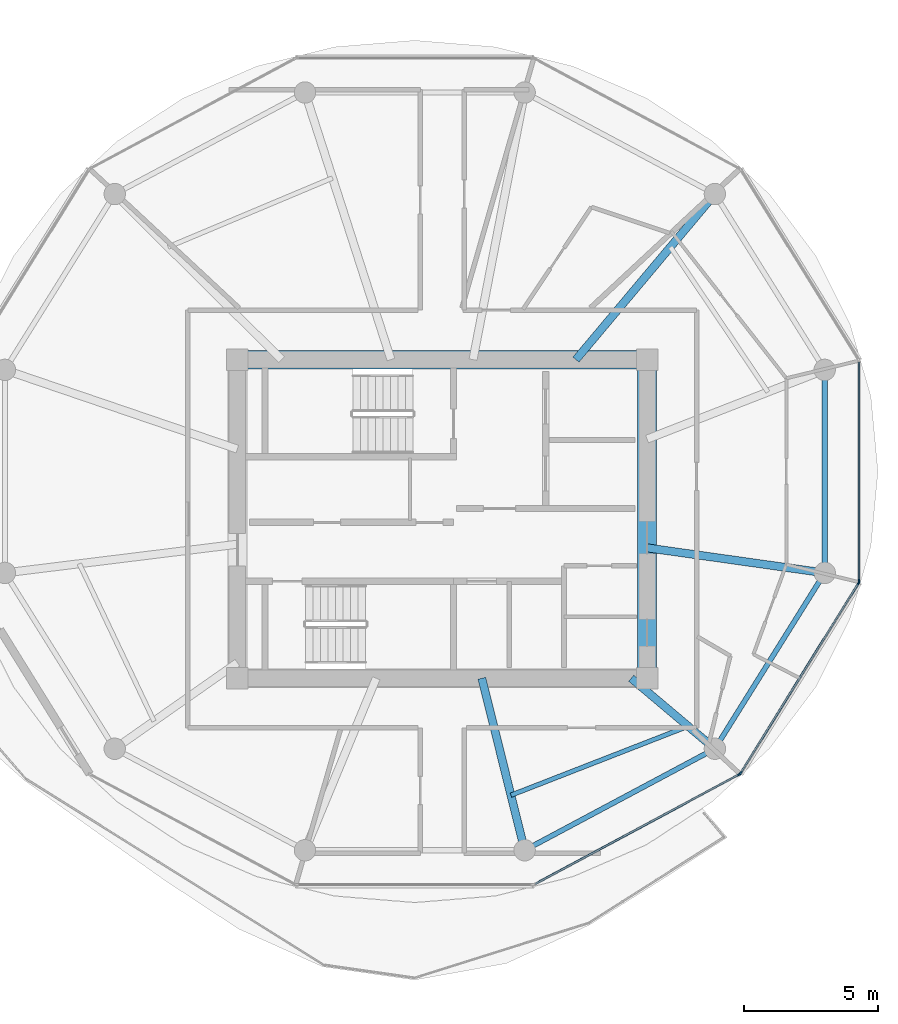
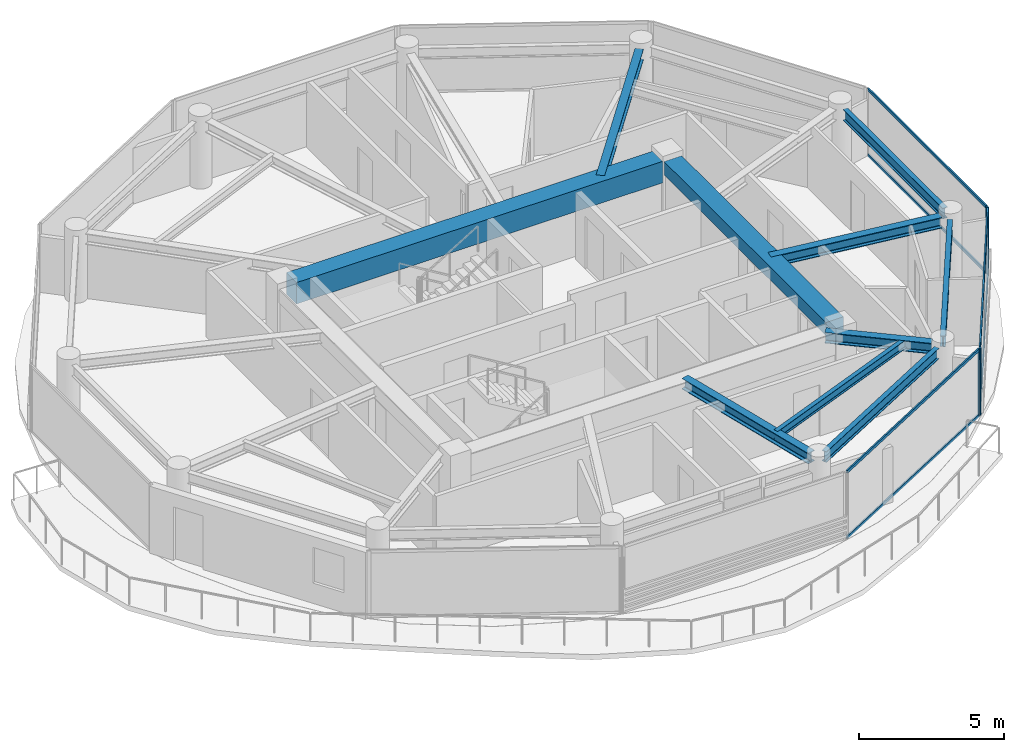
# One storey, part 9 of 21: 10 beams, 10 members, 3 elements without a shape of their own.
"""IFC4 building model written with IfcOpenShell, lengths in metres."""

from ifc_helpers import new_model, si_unit, direction, frame, origin, origin_2d, place, context, subcontext, project, spatial, rectangle, i_section, extrude, source, transform, mapped, material, layer, layer_set, material_profile, profile_set, type_object, type_shapes, element, aggregate, save


model = new_model("IFC4")

# Units and contexts
model_context = context("Model", 3, precision=1e-05, world=origin(), true_north=direction((0.0, 1.0)))
body_context = subcontext(model_context, "Body", "Model", "MODEL_VIEW")
ifc_project = project(units=[si_unit("LENGTHUNIT", "METRE"), si_unit("AREAUNIT", "SQUARE_METRE"), si_unit("VOLUMEUNIT", "CUBIC_METRE"), si_unit("PLANEANGLEUNIT", "RADIAN"), si_unit("MASSUNIT", "GRAM", prefix="KILO")], contexts=[model_context])

# Site, building, storey
site_placement = place(None, origin())
site = spatial("IfcSite", under=ifc_project, at=site_placement, CompositionType="ELEMENT")
building_placement = place(site_placement, origin())
building = spatial("IfcBuilding", under=site, at=building_placement, Name="Norrkilde Senior Care Towers", CompositionType="ELEMENT")
storey_placement = place(building_placement, frame((0.0, 0.0, 149.550048828125)))
storey = spatial("IfcBuildingStorey", under=building, at=storey_placement, Name="L46", CompositionType="ELEMENT", Elevation=149.550048828125)

# Beams
ifc_material_1 = material(Name="Concrete C60/75", Category="concrete")
ifc_material_profile_1 = material_profile(ifc_material_1, rectangle(XDim=0.699951171875, YDim=0.89990234375, at=origin_2d()), Name="RC BM 700x900")
ifc_profile_set_1 = profile_set([ifc_material_profile_1], Name="Concrete C60/75")
beam_type_1 = type_object("IfcBeamType", Name="Core Coupling Girder 700x900", PredefinedType="USERDEFINED", material=ifc_profile_set_1)
shared_shape_1 = source(origin(), body_context, "Body", "SweptSolid", [
    extrude(rectangle(XDim=0.699951171875, YDim=0.89990234375, at=origin_2d()), origin(), (0.0, 0.0, 1.0), 14.5400390625),
])
type_shapes(beam_type_1, [shared_shape_1])
beam_1_placement = place(storey_placement, frame((20.72998046875, 5.949951171875, 2.35986328125), z_axis=(1.0, 0.0, 0.0), x_axis=(0.0, 1.0, 0.0)))
element("IfcBeam", 1, at=beam_1_placement, inside=storey, type_object=beam_type_1, Name="L46 Core E N Coupling Girder", ObjectType="GIRDER", PredefinedType="USERDEFINED", context=body_context, shape_type="MappedRepresentation", body=[
    mapped(shared_shape_1, transform((0.0, 0.0, 0.0), x_axis=(1.0, 0.0, 0.0), y_axis=(0.0, 1.0, 0.0), z_axis=(0.0, 0.0, 1.0), scale=1.0)),
])
ifc_material_profile_2 = material_profile(ifc_material_1, rectangle(XDim=0.699951171875, YDim=0.550048828125, at=origin_2d()), Name="RC BM 700x550")
ifc_profile_set_2 = profile_set([ifc_material_profile_2], Name="Concrete C60/75")
beam_type_2 = type_object("IfcBeamType", Name="Core Portal Coupling Beam 700x550", PredefinedType="USERDEFINED", material=ifc_profile_set_2)
shared_shape_2 = source(origin(), body_context, "Body", "SweptSolid", [
    extrude(rectangle(XDim=0.699951171875, YDim=0.550048828125, at=origin_2d()), origin(), (0.0, 0.0, 1.0), 11.14013671875),
])
type_shapes(beam_type_2, [shared_shape_2])
beam_2_placement = place(storey_placement, frame((35.64990234375, -5.570068359375, 2.534912109375), z_axis=(0.0, 1.0, 0.0), x_axis=(-1.0, 0.0, 0.0)))
element("IfcBeam", 2, at=beam_2_placement, inside=storey, type_object=beam_type_2, Name="L46 Core E E Coupling Girder", ObjectType="GIRDER", PredefinedType="USERDEFINED", context=body_context, shape_type="MappedRepresentation", body=[
    mapped(shared_shape_2, transform((0.0, 0.0, 0.0), x_axis=(1.0, 0.0, 0.0), y_axis=(0.0, 1.0, 0.0), z_axis=(0.0, 0.0, 1.0), scale=1.0)),
])
ifc_material_2 = material(Name="Steel S355", Category="steel")
ifc_material_profile_3 = material_profile(ifc_material_2, i_section(OverallWidth=0.300048828125, OverallDepth=0.449951171875, WebThickness=0.013916015625, FlangeThickness=0.02587890625, FilletRadius=0.027099609375, at=origin_2d()), Name="HEB 450")
ifc_profile_set_3 = profile_set([ifc_material_profile_3], Name="Steel S355")
beam_type_3 = type_object("IfcBeamType", Name="Radial Floor Beam Z3 HEB450", PredefinedType="BEAM", material=ifc_profile_set_3)
shared_shape_3 = source(origin(), body_context, "Body", "SweptSolid", [
    extrude(i_section(OverallWidth=0.300048828125, OverallDepth=0.449951171875, WebThickness=0.013916015625, FlangeThickness=0.02587890625, FilletRadius=0.027099609375, at=origin_2d()), origin(), (0.0, 0.0, 1.0), 7.71337890625),
])
beam_3_placement = place(storey_placement, frame((32.992919921875, 5.949951171875, 2.5849609375), z_axis=(0.642808239864, 0.766027131872, 0.0), x_axis=(-0.766027131872, 0.642808239864, 0.0)))
element("IfcBeam", 3, at=beam_3_placement, inside=storey, type_object=beam_type_3, Name="L46 Drum E Radial Floor Beam 02", PredefinedType="BEAM", context=body_context, shape_type="MappedRepresentation", body=[
    mapped(shared_shape_3, transform((0.0, 0.0, 0.0), x_axis=(1.0, 0.0, 0.0), y_axis=(0.0, 1.0, 0.0), z_axis=(0.0, 0.0, 1.0), scale=1.0)),
])
ifc_material_profile_4 = material_profile(ifc_material_2, i_section(OverallWidth=0.18994140625, OverallDepth=0.449951171875, WebThickness=0.009521484375, FlangeThickness=0.0146484375, FilletRadius=0.02099609375, at=origin_2d()), Name="IPE 450")
ifc_profile_set_4 = profile_set([ifc_material_profile_4], Name="Steel S355")
beam_type_4 = type_object("IfcBeamType", Name="Perimeter Ring Spandrel Z3 IPE450", PredefinedType="SPANDREL", material=ifc_profile_set_4)
shared_shape_4 = source(origin(), body_context, "Body", "SweptSolid", [
    extrude(i_section(OverallWidth=0.18994140625, OverallDepth=0.449951171875, WebThickness=0.009521484375, FlangeThickness=0.0146484375, FilletRadius=0.02099609375, at=origin_2d()), origin(), (0.0, 0.0, 1.0), 6.86328125),
])
beam_4_placement = place(storey_placement, frame((42.284912109375, -1.65625, 2.5849609375), z_axis=(0.0, 1.0, 0.0), x_axis=(-1.0, 0.0, 0.0)))
element("IfcBeam", 4, at=beam_4_placement, inside=storey, type_object=beam_type_4, Name="L46 Drum E Perimeter Spandrel 12", PredefinedType="SPANDREL", context=body_context, shape_type="MappedRepresentation", body=[
    mapped(shared_shape_4, transform((0.0, 0.0, 0.0), x_axis=(1.0, 0.0, 0.0), y_axis=(0.0, 1.0, 0.0), z_axis=(0.0, 0.0, 1.0), scale=1.0)),
])
shared_shape_5 = source(origin(), body_context, "Body", "SweptSolid", [
    extrude(i_section(OverallWidth=0.18994140625, OverallDepth=0.449951171875, WebThickness=0.009521484375, FlangeThickness=0.0146484375, FilletRadius=0.02099609375, at=origin_2d()), origin(), (0.0, 0.0, 1.0), 7.023193359375),
])
beam_5_placement = place(storey_placement, frame((38.373291015625, -8.2783203125, 2.5849609375), z_axis=(0.529805197269, 0.848119362441, 0.0), x_axis=(-0.848119362441, 0.529805197269, 0.0)))
element("IfcBeam", 5, at=beam_5_placement, inside=storey, type_object=beam_type_4, Name="L46 Drum E Perimeter Spandrel 11", PredefinedType="SPANDREL", context=body_context, shape_type="MappedRepresentation", body=[
    mapped(shared_shape_5, transform((0.0, 0.0, 0.0), x_axis=(1.0, 0.0, 0.0), y_axis=(0.0, 1.0, 0.0), z_axis=(0.0, 0.0, 1.0), scale=1.0)),
])
shared_shape_6 = source(origin(), body_context, "Body", "SweptSolid", [
    extrude(i_section(OverallWidth=0.300048828125, OverallDepth=0.449951171875, WebThickness=0.013916015625, FlangeThickness=0.02587890625, FilletRadius=0.027099609375, at=origin_2d()), origin(), (0.0, 0.0, 1.0), 6.3408203125),
])
beam_6_placement = place(storey_placement, frame((35.64990234375, -1.079833984375, 2.5849609375), z_axis=(0.990184519576, -0.139766294905, 0.0), x_axis=(0.139766294905, 0.990184519576, 0.0)))
element("IfcBeam", 6, at=beam_6_placement, inside=storey, type_object=beam_type_3, Name="L46 Drum E Radial Floor Beam 12", PredefinedType="BEAM", context=body_context, shape_type="MappedRepresentation", body=[
    mapped(shared_shape_6, transform((0.0, 0.0, 0.0), x_axis=(1.0, 0.0, 0.0), y_axis=(0.0, 1.0, 0.0), z_axis=(0.0, 0.0, 1.0), scale=1.0)),
])
shared_shape_7 = source(origin(), body_context, "Body", "SweptSolid", [
    extrude(i_section(OverallWidth=0.18994140625, OverallDepth=0.449951171875, WebThickness=0.009521484375, FlangeThickness=0.0146484375, FilletRadius=0.02099609375, at=origin_2d()), origin(), (0.0, 0.0, 1.0), 7.333984375),
])
type_shapes(beam_type_4, [shared_shape_4, shared_shape_5, shared_shape_7])
beam_7_placement = place(storey_placement, frame((31.394775390625, -12.2060546875, 2.5849609375), z_axis=(0.882234038987, 0.470811109101, 0.0), x_axis=(-0.470811109101, 0.882234038987, 0.0)))
element("IfcBeam", 7, at=beam_7_placement, inside=storey, type_object=beam_type_4, Name="L46 Drum E Perimeter Spandrel 10", PredefinedType="SPANDREL", context=body_context, shape_type="MappedRepresentation", body=[
    mapped(shared_shape_7, transform((0.0, 0.0, 0.0), x_axis=(1.0, 0.0, 0.0), y_axis=(0.0, 1.0, 0.0), z_axis=(0.0, 0.0, 1.0), scale=1.0)),
])
shared_shape_8 = source(origin(), body_context, "Body", "SweptSolid", [
    extrude(i_section(OverallWidth=0.300048828125, OverallDepth=0.449951171875, WebThickness=0.013916015625, FlangeThickness=0.02587890625, FilletRadius=0.027099609375, at=origin_2d()), origin(), (0.0, 0.0, 1.0), 3.7265625),
])
beam_8_placement = place(storey_placement, frame((35.058349609375, -5.949951171875, 2.5849609375), z_axis=(0.764567902106, -0.644543189453, 0.0), x_axis=(0.644543189453, 0.764567902106, 0.0)))
element("IfcBeam", 8, at=beam_8_placement, inside=storey, type_object=beam_type_3, Name="L46 Drum E Radial Floor Beam 11", PredefinedType="BEAM", context=body_context, shape_type="MappedRepresentation", body=[
    mapped(shared_shape_8, transform((0.0, 0.0, 0.0), x_axis=(1.0, 0.0, 0.0), y_axis=(0.0, 1.0, 0.0), z_axis=(0.0, 0.0, 1.0), scale=1.0)),
])
shared_shape_9 = source(origin(), body_context, "Body", "SweptSolid", [
    extrude(i_section(OverallWidth=0.300048828125, OverallDepth=0.449951171875, WebThickness=0.013916015625, FlangeThickness=0.02587890625, FilletRadius=0.027099609375, at=origin_2d()), origin(), (0.0, 0.0, 1.0), 6.26123046875),
])
type_shapes(beam_type_3, [shared_shape_3, shared_shape_6, shared_shape_8, shared_shape_9])
beam_9_placement = place(storey_placement, frame((29.4794921875, -5.949951171875, 2.5849609375), z_axis=(0.241324375921, -0.970444509277, 0.0), x_axis=(0.970444509277, 0.241324375921, 0.0)))
element("IfcBeam", 9, at=beam_9_placement, inside=storey, type_object=beam_type_3, Name="L46 Drum E Radial Floor Beam 10", PredefinedType="BEAM", context=body_context, shape_type="MappedRepresentation", body=[
    mapped(shared_shape_9, transform((0.0, 0.0, 0.0), x_axis=(1.0, 0.0, 0.0), y_axis=(0.0, 1.0, 0.0), z_axis=(0.0, 0.0, 1.0), scale=1.0)),
])
ifc_material_profile_5 = material_profile(ifc_material_2, i_section(OverallWidth=0.169921875, OverallDepth=0.360107421875, WebThickness=0.008056640625, FlangeThickness=0.0126953125, FilletRadius=0.01806640625, at=origin_2d()), Name="IPE 360")
ifc_profile_set_5 = profile_set([ifc_material_profile_5], Name="Steel S355")
beam_type_5 = type_object("IfcBeamType", Name="Secondary Floor Joist IPE360", PredefinedType="JOIST", material=ifc_profile_set_5)
shared_shape_10 = source(origin(), body_context, "Body", "SweptSolid", [
    extrude(i_section(OverallWidth=0.169921875, OverallDepth=0.360107421875, WebThickness=0.008056640625, FlangeThickness=0.0126953125, FilletRadius=0.01806640625, at=origin_2d()), origin(), (0.0, 0.0, 1.0), 7.1015625),
])
type_shapes(beam_type_5, [shared_shape_10])
beam_10_placement = place(storey_placement, frame((30.56591796875, -10.3193359375, 2.6298828125), z_axis=(0.931761231292, 0.363071629106, 0.0), x_axis=(-0.363071629106, 0.931761231292, 0.0)))
element("IfcBeam", 10, at=beam_10_placement, inside=storey, type_object=beam_type_5, Name="L46 Drum E Secondary Floor Joist 4", PredefinedType="JOIST", context=body_context, shape_type="MappedRepresentation", body=[
    mapped(shared_shape_10, transform((0.0, 0.0, 0.0), x_axis=(1.0, 0.0, 0.0), y_axis=(0.0, 1.0, 0.0), z_axis=(0.0, 0.0, 1.0), scale=1.0)),
])

# Curtain wall, member
ifc_material_3 = material(Name="Triple Low-E Insulated Glazing", Category="glass")
ifc_layer = layer(ifc_material_3, 0.18994140625)
ifc_layer_set = layer_set([ifc_layer], Name="Triple Low-E Insulated Glazing")
curtain_wall_type = type_object("IfcCurtainWallType", Name="CW4 Zone 3 Senior Residence Curtain Wall", PredefinedType="NOTDEFINED", material=ifc_layer_set)
curtain_wall_1_placement = place(storey_placement, origin())
curtain_wall_1 = element("IfcCurtainWall", 11, at=curtain_wall_1_placement, inside=storey, type_object=curtain_wall_type, Name="L46 Drum E Curtain Wall 09", PredefinedType="NOTDEFINED")
ifc_material_4 = material(Name="Anodised Aluminium", Category="aluminium")
ifc_material_profile_6 = material_profile(ifc_material_4, rectangle(XDim=0.06494140625, YDim=0.14990234375, at=origin_2d()), Name="ALU MULL 65x150")
ifc_profile_set_6 = profile_set([ifc_material_profile_6], Name="Anodised Aluminium")
member_type_1 = type_object("IfcMemberType", Name="Curtain Wall Mullion Z3-Z4 65x150", PredefinedType="MULLION", material=ifc_profile_set_6)
shared_shape_11 = source(origin(), body_context, "Body", "SweptSolid", [
    extrude(rectangle(XDim=0.06494140625, YDim=0.14990234375, at=origin_2d()), origin(), (0.0, 0.0, 1.0), 2.81005859375),
])
type_shapes(member_type_1, [shared_shape_11])
member_1_placement = place(storey_placement, frame((39.094482421875, -9.53955078125, 0.0), z_axis=(0.0, 0.0, 1.0), x_axis=(0.47311715104, -0.880999524059, 0.0)))
member_1 = element("IfcMember", 12, at=member_1_placement, type_object=member_type_1, Name="CW-4 mullion 1", PredefinedType="MULLION", context=body_context, shape_type="MappedRepresentation", body=[
    mapped(shared_shape_11, transform((0.0, 0.0, 0.0), x_axis=(1.0, 0.0, 0.0), y_axis=(0.0, 1.0, 0.0), z_axis=(0.0, 0.0, 1.0), scale=1.0)),
])

# Curtain wall, members
curtain_wall_2_placement = place(storey_placement, origin())
curtain_wall_2 = element("IfcCurtainWall", 13, at=curtain_wall_2_placement, inside=storey, type_object=curtain_wall_type, Name="L46 Drum E Curtain Wall 10", PredefinedType="NOTDEFINED")
member_2_placement = place(storey_placement, frame((43.552490234375, -2.38818359375, 0.0), z_axis=(0.0, 0.0, 1.0), x_axis=(0.84963405474, -0.52737270789, 0.0)))
member_2 = element("IfcMember", 14, at=member_2_placement, type_object=member_type_1, Name="CW-4 mullion 1", PredefinedType="MULLION", context=body_context, shape_type="MappedRepresentation", body=[
    mapped(shared_shape_11, transform((0.0, 0.0, 0.0), x_axis=(1.0, 0.0, 0.0), y_axis=(0.0, 1.0, 0.0), z_axis=(0.0, 0.0, 1.0), scale=1.0)),
])
member_3_placement = place(storey_placement, frame((39.14013671875, -9.49658203125, 0.0), z_axis=(0.0, 0.0, 1.0), x_axis=(0.84963405474, -0.52737270789, 0.0)))
member_3 = element("IfcMember", 15, at=member_3_placement, type_object=member_type_1, Name="CW-4 mullion 2", PredefinedType="MULLION", context=body_context, shape_type="MappedRepresentation", body=[
    mapped(shared_shape_11, transform((0.0, 0.0, 0.0), x_axis=(1.0, 0.0, 0.0), y_axis=(0.0, 1.0, 0.0), z_axis=(0.0, 0.0, 1.0), scale=1.0)),
])

# Curtain wall, member
curtain_wall_3_placement = place(storey_placement, origin())
curtain_wall_3 = element("IfcCurtainWall", 16, at=curtain_wall_3_placement, inside=storey, type_object=curtain_wall_type, Name="L46 Drum E Curtain Wall 11", PredefinedType="NOTDEFINED")
member_4_placement = place(storey_placement, frame((43.569580078125, -2.328125, 0.0), z_axis=(0.0, 0.0, 1.0), x_axis=(1.0, 0.0, 0.0)))
member_4 = element("IfcMember", 17, at=member_4_placement, type_object=member_type_1, Name="CW-4 mullion 2", PredefinedType="MULLION", context=body_context, shape_type="MappedRepresentation", body=[
    mapped(shared_shape_11, transform((0.0, 0.0, 0.0), x_axis=(1.0, 0.0, 0.0), y_axis=(0.0, 1.0, 0.0), z_axis=(0.0, 0.0, 1.0), scale=1.0)),
])

# Member
ifc_material_profile_7 = material_profile(ifc_material_4, rectangle(XDim=0.06005859375, YDim=0.1201171875, at=origin_2d()), Name="ALU TRAN 60x120")
ifc_profile_set_7 = profile_set([ifc_material_profile_7], Name="Anodised Aluminium")
member_type_2 = type_object("IfcMemberType", Name="Curtain Wall Transom Typical 60x120", PredefinedType="USERDEFINED", material=ifc_profile_set_7)
shared_shape_12 = source(origin(), body_context, "Body", "SweptSolid", [
    extrude(rectangle(XDim=0.06005859375, YDim=0.1201171875, at=origin_2d()), origin(), (0.0, 0.0, 1.0), 8.301513671875),
])
member_5_placement = place(storey_placement, frame((43.535400390625, -2.415771484375, 0.030029296875), z_axis=(-0.527368718394, -0.849636531029, 0.0), x_axis=(0.849636531029, -0.527368718394, 0.0)))
member_5 = element("IfcMember", 18, at=member_5_placement, type_object=member_type_2, Name="CW-4 transom 1.1", ObjectType="TRANSOM", PredefinedType="USERDEFINED", context=body_context, shape_type="MappedRepresentation", body=[
    mapped(shared_shape_12, transform((0.0, 0.0, 0.0), x_axis=(1.0, 0.0, 0.0), y_axis=(0.0, 1.0, 0.0), z_axis=(0.0, 0.0, 1.0), scale=1.0)),
])

member_6_placement = place(storey_placement, frame((43.535400390625, -2.415771484375, 2.780029296875), z_axis=(-0.527368718394, -0.849636531029, 0.0), x_axis=(0.849636531029, -0.527368718394, 0.0)))
member_6 = element("IfcMember", 19, at=member_6_placement, type_object=member_type_2, Name="CW-4 transom 1.2", ObjectType="TRANSOM", PredefinedType="USERDEFINED", context=body_context, shape_type="MappedRepresentation", body=[
    mapped(shared_shape_12, transform((0.0, 0.0, 0.0), x_axis=(1.0, 0.0, 0.0), y_axis=(0.0, 1.0, 0.0), z_axis=(0.0, 0.0, 1.0), scale=1.0)),
])

aggregate(curtain_wall_2, [member_2, member_3, member_5, member_6])

shared_shape_13 = source(origin(), body_context, "Body", "SweptSolid", [
    extrude(rectangle(XDim=0.06005859375, YDim=0.1201171875, at=origin_2d()), origin(), (0.0, 0.0, 1.0), 8.612060546875),
])
member_7_placement = place(storey_placement, frame((39.06591796875, -9.554931640625, 0.030029296875), z_axis=(-0.881000337462, -0.473115636384, 0.0), x_axis=(0.473115636384, -0.881000337462, 0.0)))
member_7 = element("IfcMember", 20, at=member_7_placement, type_object=member_type_2, Name="CW-4 transom 1.1", ObjectType="TRANSOM", PredefinedType="USERDEFINED", context=body_context, shape_type="MappedRepresentation", body=[
    mapped(shared_shape_13, transform((0.0, 0.0, 0.0), x_axis=(1.0, 0.0, 0.0), y_axis=(0.0, 1.0, 0.0), z_axis=(0.0, 0.0, 1.0), scale=1.0)),
])

member_8_placement = place(storey_placement, frame((39.06591796875, -9.554931640625, 2.780029296875), z_axis=(-0.881000337462, -0.473115636384, 0.0), x_axis=(0.473115636384, -0.881000337462, 0.0)))
member_8 = element("IfcMember", 21, at=member_8_placement, type_object=member_type_2, Name="CW-4 transom 1.2", ObjectType="TRANSOM", PredefinedType="USERDEFINED", context=body_context, shape_type="MappedRepresentation", body=[
    mapped(shared_shape_13, transform((0.0, 0.0, 0.0), x_axis=(1.0, 0.0, 0.0), y_axis=(0.0, 1.0, 0.0), z_axis=(0.0, 0.0, 1.0), scale=1.0)),
])

aggregate(curtain_wall_1, [member_1, member_7, member_8])

shared_shape_14 = source(origin(), body_context, "Body", "SweptSolid", [
    extrude(rectangle(XDim=0.06005859375, YDim=0.1201171875, at=origin_2d()), origin(), (0.0, 0.0, 1.0), 8.141845703125),
])
type_shapes(member_type_2, [shared_shape_12, shared_shape_13, shared_shape_14])
member_9_placement = place(storey_placement, frame((43.569580078125, 5.84619140625, 0.030029296875), z_axis=(0.0, -1.0, 0.0), x_axis=(1.0, 0.0, 0.0)))
member_9 = element("IfcMember", 22, at=member_9_placement, type_object=member_type_2, Name="CW-4 transom 1.1", ObjectType="TRANSOM", PredefinedType="USERDEFINED", context=body_context, shape_type="MappedRepresentation", body=[
    mapped(shared_shape_14, transform((0.0, 0.0, 0.0), x_axis=(1.0, 0.0, 0.0), y_axis=(0.0, 1.0, 0.0), z_axis=(0.0, 0.0, 1.0), scale=1.0)),
])

member_10_placement = place(storey_placement, frame((43.569580078125, 5.84619140625, 2.780029296875), z_axis=(0.0, -1.0, 0.0), x_axis=(1.0, 0.0, 0.0)))
member_10 = element("IfcMember", 23, at=member_10_placement, type_object=member_type_2, Name="CW-4 transom 1.2", ObjectType="TRANSOM", PredefinedType="USERDEFINED", context=body_context, shape_type="MappedRepresentation", body=[
    mapped(shared_shape_14, transform((0.0, 0.0, 0.0), x_axis=(1.0, 0.0, 0.0), y_axis=(0.0, 1.0, 0.0), z_axis=(0.0, 0.0, 1.0), scale=1.0)),
])

aggregate(curtain_wall_3, [member_4, member_9, member_10])

save(model, "model.ifc")
